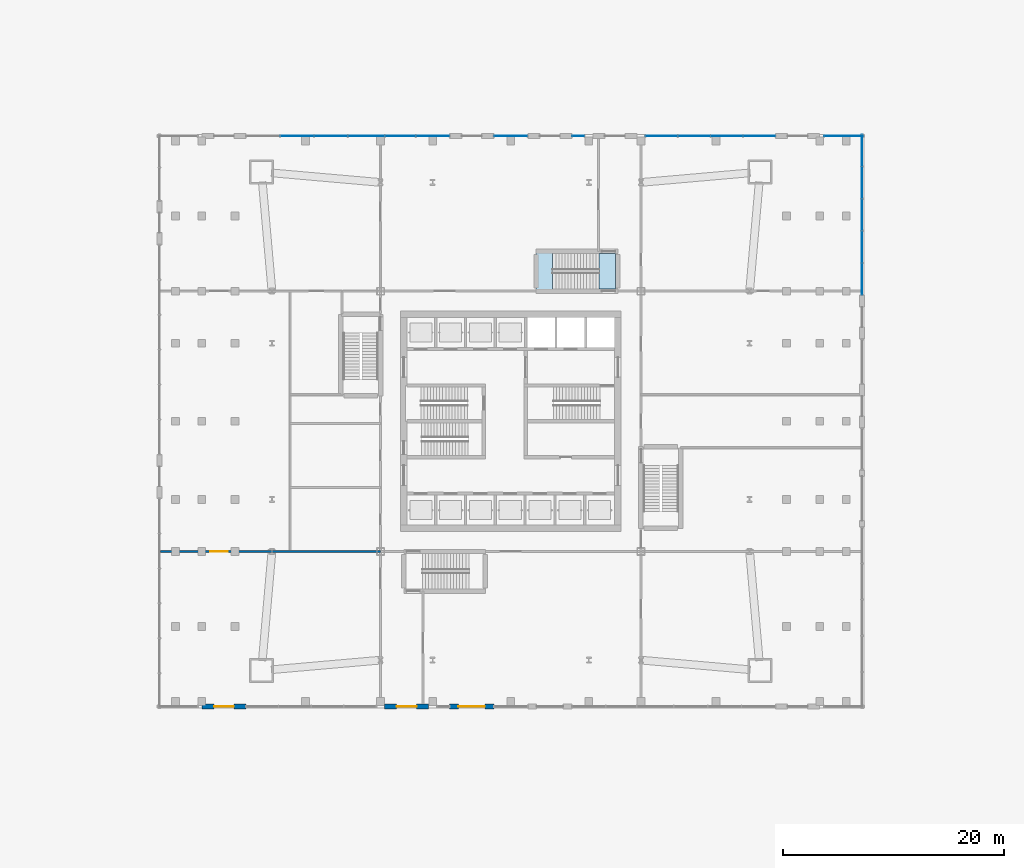
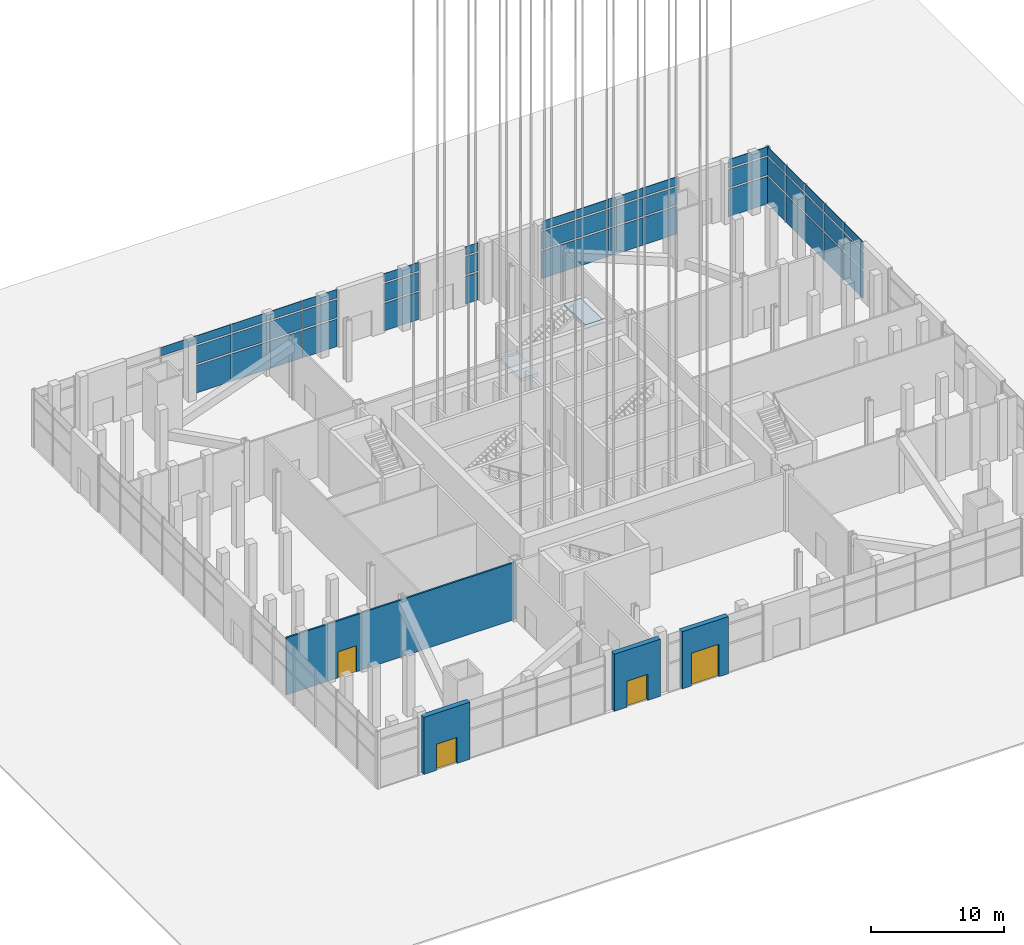
# One storey, part 11 of 27: 49 plates, 4 doors, 4 walls, 2 slabs, 4 openings, 7 elements without a shape of their own.
"""IFC4 building model written with IfcOpenShell, lengths in metres."""

from ifc_helpers import new_model, si_unit, direction, frame, frame_2d, origin, origin_2d, place, context, subcontext, project, spatial, polyline, rectangle, outline, extrude, material, layer, layer_set, type_object, element, fill, aggregate, save


model = new_model("IFC4")

# Units and contexts
model_context = context("Model", 3, precision=1e-05, world=origin(), true_north=direction((0.0, 1.0)))
body_context = subcontext(model_context, "Body", "Model", "MODEL_VIEW")
ifc_project = project(units=[si_unit("LENGTHUNIT", "METRE"), si_unit("AREAUNIT", "SQUARE_METRE"), si_unit("VOLUMEUNIT", "CUBIC_METRE"), si_unit("PLANEANGLEUNIT", "RADIAN"), si_unit("MASSUNIT", "GRAM", prefix="KILO")], contexts=[model_context])

# Site, building, storey
site_placement = place(None, origin())
site = spatial("IfcSite", under=ifc_project, at=site_placement, CompositionType="ELEMENT")
building_placement = place(site_placement, origin())
building = spatial("IfcBuilding", under=site, at=building_placement, Name="Turquesa Mirador Hotel Tower", CompositionType="ELEMENT")
storey_placement = place(building_placement, origin())
storey = spatial("IfcBuildingStorey", under=building, at=storey_placement, Name="L00", CompositionType="ELEMENT", Elevation=0.0)

# Curtain wall, plates
ifc_material_1 = material(Name="Aluminium extrusion", Category="aluminium")
curtain_wall_type = type_object("IfcCurtainWallType", Name="CW-1 LOBBY CURTAIN WALL", PredefinedType="USERDEFINED", material=ifc_material_1)
curtain_wall_1_placement = place(storey_placement, origin())
curtain_wall_1 = element("IfcCurtainWall", 1, at=curtain_wall_1_placement, inside=storey, type_object=curtain_wall_type, Name="CW-1 LOBBY CURTAIN WALL L00", ObjectType="CURTAIN WALL", PredefinedType="USERDEFINED")
ifc_material_2 = material(Name="Ceramic-printed spandrel glass on an insulated back pan", Category="glass")
ifc_layer_1 = layer(ifc_material_2, 0.050048828125)
ifc_layer_set_1 = layer_set([ifc_layer_1], Name="CW PANEL SPANDREL CERAMIC")
plate_type_1 = type_object("IfcPlateType", Name="CW PANEL SPANDREL CERAMIC", PredefinedType="CURTAIN_PANEL", material=ifc_layer_set_1)
plate_1_placement = place(storey_placement, frame((86.85009765625, 57.89599609375, 0.0), z_axis=(0.0, 0.0, 1.0), x_axis=(0.0, 1.0, 0.0)))
plate_1 = element("IfcPlate", 2, at=plate_1_placement, type_object=plate_type_1, Name="Panel", PredefinedType="CURTAIN_PANEL", context=body_context, shape_type="SweptSolid", body=[
    extrude(rectangle(XDim=2.846923828125, YDim=0.050048828125, at=origin_2d()), origin(), (0.0, 0.0, 1.0), 2.52490234375),
])
plate_2_placement = place(storey_placement, frame((86.85009765625, 60.80810546875, 0.0), z_axis=(0.0, 0.0, 1.0), x_axis=(0.0, 1.0, 0.0)))
plate_2 = element("IfcPlate", 3, at=plate_2_placement, type_object=plate_type_1, Name="Panel", PredefinedType="CURTAIN_PANEL", context=body_context, shape_type="SweptSolid", body=[
    extrude(rectangle(XDim=2.846923828125, YDim=0.050048828125, at=origin_2d()), origin(), (0.0, 0.0, 1.0), 2.52490234375),
])
plate_3_placement = place(storey_placement, frame((86.85009765625, 63.719970703125, 0.0), z_axis=(0.0, 0.0, 1.0), x_axis=(0.0, 1.0, 0.0)))
plate_3 = element("IfcPlate", 4, at=plate_3_placement, type_object=plate_type_1, Name="Panel", PredefinedType="CURTAIN_PANEL", context=body_context, shape_type="SweptSolid", body=[
    extrude(rectangle(XDim=2.846923828125, YDim=0.050048828125, at=origin_2d()), origin(), (0.0, 0.0, 1.0), 2.52490234375),
])
plate_4_placement = place(storey_placement, frame((86.85009765625, 66.632080078125, 0.0), z_axis=(0.0, 0.0, 1.0), x_axis=(0.0, 1.0, 0.0)))
plate_4 = element("IfcPlate", 5, at=plate_4_placement, type_object=plate_type_1, Name="Panel", PredefinedType="CURTAIN_PANEL", context=body_context, shape_type="SweptSolid", body=[
    extrude(rectangle(XDim=2.846923828125, YDim=0.050048828125, at=origin_2d()), origin(), (0.0, 0.0, 1.0), 2.52490234375),
])
plate_5_placement = place(storey_placement, frame((86.85009765625, 69.5439453125, 0.0), z_axis=(0.0, 0.0, 1.0), x_axis=(0.0, 1.0, 0.0)))
plate_5 = element("IfcPlate", 6, at=plate_5_placement, type_object=plate_type_1, Name="Panel", PredefinedType="CURTAIN_PANEL", context=body_context, shape_type="SweptSolid", body=[
    extrude(rectangle(XDim=2.846923828125, YDim=0.050048828125, at=origin_2d()), origin(), (0.0, 0.0, 1.0), 2.52490234375),
])

# Curtain wall, plate
curtain_wall_2_placement = place(storey_placement, origin())
curtain_wall_2 = element("IfcCurtainWall", 7, at=curtain_wall_2_placement, inside=storey, type_object=curtain_wall_type, Name="CW-1 LOBBY CURTAIN WALL L00", ObjectType="CURTAIN WALL", PredefinedType="USERDEFINED")
plate_6_placement = place(storey_placement, frame((85.192138671875, 70.85009765625, 0.0), z_axis=(0.0, 0.0, 1.0), x_axis=(-1.0, 0.0, 0.0)))
plate_6 = element("IfcPlate", 8, at=plate_6_placement, type_object=plate_type_1, Name="Panel", PredefinedType="CURTAIN_PANEL", context=body_context, shape_type="SweptSolid", body=[
    extrude(rectangle(XDim=3.550537109375, YDim=0.050048828125, at=origin_2d()), origin(), (0.0, 0.0, 1.0), 2.52490234375),
])

# Curtain wall, plates
curtain_wall_3_placement = place(storey_placement, origin())
curtain_wall_3 = element("IfcCurtainWall", 9, at=curtain_wall_3_placement, inside=storey, type_object=curtain_wall_type, Name="CW-1 LOBBY CURTAIN WALL L00", ObjectType="CURTAIN WALL", PredefinedType="USERDEFINED")
plate_7_placement = place(storey_placement, frame((77.52294921875, 70.85009765625, 0.0), z_axis=(0.0, 0.0, 1.0), x_axis=(-1.0, 0.0, 0.0)))
plate_7 = element("IfcPlate", 10, at=plate_7_placement, type_object=plate_type_1, Name="Panel", PredefinedType="CURTAIN_PANEL", context=body_context, shape_type="SweptSolid", body=[
    extrude(rectangle(XDim=2.888916015625, YDim=0.050048828125, at=origin_2d()), origin(), (0.0, 0.0, 1.0), 2.52490234375),
])
plate_8_placement = place(storey_placement, frame((74.569091796875, 70.85009765625, 0.0), z_axis=(0.0, 0.0, 1.0), x_axis=(-1.0, 0.0, 0.0)))
plate_8 = element("IfcPlate", 11, at=plate_8_placement, type_object=plate_type_1, Name="Panel", PredefinedType="CURTAIN_PANEL", context=body_context, shape_type="SweptSolid", body=[
    extrude(rectangle(XDim=2.888916015625, YDim=0.050048828125, at=origin_2d()), origin(), (0.0, 0.0, 1.0), 2.52490234375),
])
plate_9_placement = place(storey_placement, frame((71.615234375, 70.85009765625, 0.0), z_axis=(0.0, 0.0, 1.0), x_axis=(-1.0, 0.0, 0.0)))
plate_9 = element("IfcPlate", 12, at=plate_9_placement, type_object=plate_type_1, Name="Panel", PredefinedType="CURTAIN_PANEL", context=body_context, shape_type="SweptSolid", body=[
    extrude(rectangle(XDim=2.888916015625, YDim=0.050048828125, at=origin_2d()), origin(), (0.0, 0.0, 1.0), 2.52490234375),
])
plate_10_placement = place(storey_placement, frame((68.661376953125, 70.85009765625, 0.0), z_axis=(0.0, 0.0, 1.0), x_axis=(-1.0, 0.0, 0.0)))
plate_10 = element("IfcPlate", 13, at=plate_10_placement, type_object=plate_type_1, Name="Panel", PredefinedType="CURTAIN_PANEL", context=body_context, shape_type="SweptSolid", body=[
    extrude(rectangle(XDim=2.888916015625, YDim=0.050048828125, at=origin_2d()), origin(), (0.0, 0.0, 1.0), 2.52490234375),
])

# Curtain wall, plate
curtain_wall_4_placement = place(storey_placement, origin())
curtain_wall_4 = element("IfcCurtainWall", 14, at=curtain_wall_4_placement, inside=storey, type_object=curtain_wall_type, Name="CW-1 LOBBY CURTAIN WALL L00", ObjectType="CURTAIN WALL", PredefinedType="USERDEFINED")
plate_11_placement = place(storey_placement, frame((61.11767578125, 70.85009765625, 0.0), z_axis=(0.0, 0.0, 1.0), x_axis=(-1.0, 0.0, 0.0)))
plate_11 = element("IfcPlate", 15, at=plate_11_placement, type_object=plate_type_1, Name="Panel", PredefinedType="CURTAIN_PANEL", context=body_context, shape_type="SweptSolid", body=[
    extrude(rectangle(XDim=1.090576171875, YDim=0.050048828125, at=origin_2d()), origin(), (0.0, 0.0, 1.0), 2.52490234375),
])

curtain_wall_5_placement = place(storey_placement, origin())
curtain_wall_5 = element("IfcCurtainWall", 16, at=curtain_wall_5_placement, inside=storey, type_object=curtain_wall_type, Name="CW-1 LOBBY CURTAIN WALL L00", ObjectType="CURTAIN WALL", PredefinedType="USERDEFINED")
plate_12_placement = place(storey_placement, frame((55.0, 70.85009765625, 0.0), z_axis=(0.0, 0.0, 1.0), x_axis=(-1.0, 0.0, 0.0)))
plate_12 = element("IfcPlate", 17, at=plate_12_placement, type_object=plate_type_1, Name="Panel", PredefinedType="CURTAIN_PANEL", context=body_context, shape_type="SweptSolid", body=[
    extrude(rectangle(XDim=3.014892578125, YDim=0.050048828125, at=origin_2d()), origin(), (0.0, 0.0, 1.0), 2.52490234375),
])

# Curtain wall, plates
curtain_wall_6_placement = place(storey_placement, origin())
curtain_wall_6 = element("IfcCurtainWall", 18, at=curtain_wall_6_placement, inside=storey, type_object=curtain_wall_type, Name="CW-1 LOBBY CURTAIN WALL L00", ObjectType="CURTAIN WALL", PredefinedType="USERDEFINED")
plate_13_placement = place(storey_placement, frame((47.921630859375, 70.85009765625, 0.0), z_axis=(0.0, 0.0, 1.0), x_axis=(-1.0, 0.0, 0.0)))
plate_13 = element("IfcPlate", 19, at=plate_13_placement, type_object=plate_type_1, Name="Panel", PredefinedType="CURTAIN_PANEL", context=body_context, shape_type="SweptSolid", body=[
    extrude(rectangle(XDim=3.01171875, YDim=0.050048828125, at=origin_2d()), origin(), (0.0, 0.0, 1.0), 2.52490234375),
])
plate_14_placement = place(storey_placement, frame((44.98388671875, 70.85009765625, 0.0), z_axis=(0.0, 0.0, 1.0), x_axis=(-1.0, 0.0, 0.0)))
plate_14 = element("IfcPlate", 20, at=plate_14_placement, type_object=plate_type_1, Name="Panel", PredefinedType="CURTAIN_PANEL", context=body_context, shape_type="SweptSolid", body=[
    extrude(rectangle(XDim=2.73388671875, YDim=0.050048828125, at=origin_2d()), origin(), (0.0, 0.0, 1.0), 2.52490234375),
])
plate_15_placement = place(storey_placement, frame((41.9072265625, 70.85009765625, 0.0), z_axis=(0.0, 0.0, 1.0), x_axis=(-1.0, 0.0, 0.0)))
plate_15 = element("IfcPlate", 21, at=plate_15_placement, type_object=plate_type_1, Name="Panel", PredefinedType="CURTAIN_PANEL", context=body_context, shape_type="SweptSolid", body=[
    extrude(rectangle(XDim=3.28955078125, YDim=0.050048828125, at=origin_2d()), origin(), (0.0, 0.0, 1.0), 2.52490234375),
])
plate_16_placement = place(storey_placement, frame((38.691650390625, 70.85009765625, 0.0), z_axis=(0.0, 0.0, 1.0), x_axis=(-1.0, 0.0, 0.0)))
plate_16 = element("IfcPlate", 22, at=plate_16_placement, type_object=plate_type_1, Name="Panel", PredefinedType="CURTAIN_PANEL", context=body_context, shape_type="SweptSolid", body=[
    extrude(rectangle(XDim=3.01171875, YDim=0.050048828125, at=origin_2d()), origin(), (0.0, 0.0, 1.0), 2.52490234375),
])

# Plate
ifc_material_3 = material(Name="Ceramic-fritted laminated glass", Category="glass")
ifc_layer_2 = layer(ifc_material_3, 0.031982421875)
ifc_layer_set_2 = layer_set([ifc_layer_2], Name="CW PANEL VISION FRITTED")
plate_type_2 = type_object("IfcPlateType", Name="CW PANEL VISION FRITTED", PredefinedType="CURTAIN_PANEL", material=ifc_layer_set_2)
plate_17_placement = place(storey_placement, frame((86.85009765625, 57.89599609375, 2.675048828125), z_axis=(0.0, 0.0, 1.0), x_axis=(0.0, 1.0, 0.0)))
plate_17 = element("IfcPlate", 23, at=plate_17_placement, type_object=plate_type_2, Name="Panel", PredefinedType="CURTAIN_PANEL", context=body_context, shape_type="SweptSolid", body=[
    extrude(rectangle(XDim=2.846923828125, YDim=0.031982421875, at=origin_2d()), origin(), (0.0, 0.0, 1.0), 1.64990234375),
])

plate_18_placement = place(storey_placement, frame((86.85009765625, 57.89599609375, 4.47509765625), z_axis=(0.0, 0.0, 1.0), x_axis=(0.0, 1.0, 0.0)))
plate_18 = element("IfcPlate", 24, at=plate_18_placement, type_object=plate_type_2, Name="Panel", PredefinedType="CURTAIN_PANEL", context=body_context, shape_type="SweptSolid", body=[
    extrude(rectangle(XDim=2.846923828125, YDim=0.031982421875, at=origin_2d()), origin(), (0.0, 0.0, 1.0), 0.77490234375),
])

plate_19_placement = place(storey_placement, frame((86.85009765625, 60.80810546875, 2.675048828125), z_axis=(0.0, 0.0, 1.0), x_axis=(0.0, 1.0, 0.0)))
plate_19 = element("IfcPlate", 25, at=plate_19_placement, type_object=plate_type_2, Name="Panel", PredefinedType="CURTAIN_PANEL", context=body_context, shape_type="SweptSolid", body=[
    extrude(rectangle(XDim=2.846923828125, YDim=0.031982421875, at=origin_2d()), origin(), (0.0, 0.0, 1.0), 1.64990234375),
])

plate_20_placement = place(storey_placement, frame((86.85009765625, 60.80810546875, 4.47509765625), z_axis=(0.0, 0.0, 1.0), x_axis=(0.0, 1.0, 0.0)))
plate_20 = element("IfcPlate", 26, at=plate_20_placement, type_object=plate_type_2, Name="Panel", PredefinedType="CURTAIN_PANEL", context=body_context, shape_type="SweptSolid", body=[
    extrude(rectangle(XDim=2.846923828125, YDim=0.031982421875, at=origin_2d()), origin(), (0.0, 0.0, 1.0), 0.77490234375),
])

plate_21_placement = place(storey_placement, frame((86.85009765625, 63.719970703125, 2.675048828125), z_axis=(0.0, 0.0, 1.0), x_axis=(0.0, 1.0, 0.0)))
plate_21 = element("IfcPlate", 27, at=plate_21_placement, type_object=plate_type_2, Name="Panel", PredefinedType="CURTAIN_PANEL", context=body_context, shape_type="SweptSolid", body=[
    extrude(rectangle(XDim=2.846923828125, YDim=0.031982421875, at=origin_2d()), origin(), (0.0, 0.0, 1.0), 1.64990234375),
])

plate_22_placement = place(storey_placement, frame((86.85009765625, 63.719970703125, 4.47509765625), z_axis=(0.0, 0.0, 1.0), x_axis=(0.0, 1.0, 0.0)))
plate_22 = element("IfcPlate", 28, at=plate_22_placement, type_object=plate_type_2, Name="Panel", PredefinedType="CURTAIN_PANEL", context=body_context, shape_type="SweptSolid", body=[
    extrude(rectangle(XDim=2.846923828125, YDim=0.031982421875, at=origin_2d()), origin(), (0.0, 0.0, 1.0), 0.77490234375),
])

plate_23_placement = place(storey_placement, frame((86.85009765625, 66.632080078125, 2.675048828125), z_axis=(0.0, 0.0, 1.0), x_axis=(0.0, 1.0, 0.0)))
plate_23 = element("IfcPlate", 29, at=plate_23_placement, type_object=plate_type_2, Name="Panel", PredefinedType="CURTAIN_PANEL", context=body_context, shape_type="SweptSolid", body=[
    extrude(rectangle(XDim=2.846923828125, YDim=0.031982421875, at=origin_2d()), origin(), (0.0, 0.0, 1.0), 1.64990234375),
])

plate_24_placement = place(storey_placement, frame((86.85009765625, 66.632080078125, 4.47509765625), z_axis=(0.0, 0.0, 1.0), x_axis=(0.0, 1.0, 0.0)))
plate_24 = element("IfcPlate", 30, at=plate_24_placement, type_object=plate_type_2, Name="Panel", PredefinedType="CURTAIN_PANEL", context=body_context, shape_type="SweptSolid", body=[
    extrude(rectangle(XDim=2.846923828125, YDim=0.031982421875, at=origin_2d()), origin(), (0.0, 0.0, 1.0), 0.77490234375),
])

plate_25_placement = place(storey_placement, frame((86.85009765625, 69.5439453125, 2.675048828125), z_axis=(0.0, 0.0, 1.0), x_axis=(0.0, 1.0, 0.0)))
plate_25 = element("IfcPlate", 31, at=plate_25_placement, type_object=plate_type_2, Name="Panel", PredefinedType="CURTAIN_PANEL", context=body_context, shape_type="SweptSolid", body=[
    extrude(rectangle(XDim=2.846923828125, YDim=0.031982421875, at=origin_2d()), origin(), (0.0, 0.0, 1.0), 1.64990234375),
])

plate_26_placement = place(storey_placement, frame((86.85009765625, 69.5439453125, 4.47509765625), z_axis=(0.0, 0.0, 1.0), x_axis=(0.0, 1.0, 0.0)))
plate_26 = element("IfcPlate", 32, at=plate_26_placement, type_object=plate_type_2, Name="Panel", PredefinedType="CURTAIN_PANEL", context=body_context, shape_type="SweptSolid", body=[
    extrude(rectangle(XDim=2.846923828125, YDim=0.031982421875, at=origin_2d()), origin(), (0.0, 0.0, 1.0), 0.77490234375),
])

aggregate(curtain_wall_1, [plate_1, plate_17, plate_18, plate_2, plate_19, plate_20, plate_3, plate_21, plate_22, plate_4, plate_23, plate_24, plate_5, plate_25, plate_26])

plate_27_placement = place(storey_placement, frame((85.192138671875, 70.85009765625, 2.675048828125), z_axis=(0.0, 0.0, 1.0), x_axis=(-1.0, 0.0, 0.0)))
plate_27 = element("IfcPlate", 33, at=plate_27_placement, type_object=plate_type_2, Name="Panel", PredefinedType="CURTAIN_PANEL", context=body_context, shape_type="SweptSolid", body=[
    extrude(rectangle(XDim=3.550537109375, YDim=0.031982421875, at=origin_2d()), origin(), (0.0, 0.0, 1.0), 1.64990234375),
])

plate_28_placement = place(storey_placement, frame((85.192138671875, 70.85009765625, 4.47509765625), z_axis=(0.0, 0.0, 1.0), x_axis=(-1.0, 0.0, 0.0)))
plate_28 = element("IfcPlate", 34, at=plate_28_placement, type_object=plate_type_2, Name="Panel", PredefinedType="CURTAIN_PANEL", context=body_context, shape_type="SweptSolid", body=[
    extrude(rectangle(XDim=3.550537109375, YDim=0.031982421875, at=origin_2d()), origin(), (0.0, 0.0, 1.0), 0.77490234375),
])

aggregate(curtain_wall_2, [plate_6, plate_27, plate_28])

plate_29_placement = place(storey_placement, frame((77.52294921875, 70.85009765625, 2.675048828125), z_axis=(0.0, 0.0, 1.0), x_axis=(-1.0, 0.0, 0.0)))
plate_29 = element("IfcPlate", 35, at=plate_29_placement, type_object=plate_type_2, Name="Panel", PredefinedType="CURTAIN_PANEL", context=body_context, shape_type="SweptSolid", body=[
    extrude(rectangle(XDim=2.888916015625, YDim=0.031982421875, at=origin_2d()), origin(), (0.0, 0.0, 1.0), 1.64990234375),
])

plate_30_placement = place(storey_placement, frame((77.52294921875, 70.85009765625, 4.47509765625), z_axis=(0.0, 0.0, 1.0), x_axis=(-1.0, 0.0, 0.0)))
plate_30 = element("IfcPlate", 36, at=plate_30_placement, type_object=plate_type_2, Name="Panel", PredefinedType="CURTAIN_PANEL", context=body_context, shape_type="SweptSolid", body=[
    extrude(rectangle(XDim=2.888916015625, YDim=0.031982421875, at=origin_2d()), origin(), (0.0, 0.0, 1.0), 0.77490234375),
])

plate_31_placement = place(storey_placement, frame((74.569091796875, 70.85009765625, 2.675048828125), z_axis=(0.0, 0.0, 1.0), x_axis=(-1.0, 0.0, 0.0)))
plate_31 = element("IfcPlate", 37, at=plate_31_placement, type_object=plate_type_2, Name="Panel", PredefinedType="CURTAIN_PANEL", context=body_context, shape_type="SweptSolid", body=[
    extrude(rectangle(XDim=2.888916015625, YDim=0.031982421875, at=origin_2d()), origin(), (0.0, 0.0, 1.0), 1.64990234375),
])

plate_32_placement = place(storey_placement, frame((74.569091796875, 70.85009765625, 4.47509765625), z_axis=(0.0, 0.0, 1.0), x_axis=(-1.0, 0.0, 0.0)))
plate_32 = element("IfcPlate", 38, at=plate_32_placement, type_object=plate_type_2, Name="Panel", PredefinedType="CURTAIN_PANEL", context=body_context, shape_type="SweptSolid", body=[
    extrude(rectangle(XDim=2.888916015625, YDim=0.031982421875, at=origin_2d()), origin(), (0.0, 0.0, 1.0), 0.77490234375),
])

plate_33_placement = place(storey_placement, frame((71.615234375, 70.85009765625, 2.675048828125), z_axis=(0.0, 0.0, 1.0), x_axis=(-1.0, 0.0, 0.0)))
plate_33 = element("IfcPlate", 39, at=plate_33_placement, type_object=plate_type_2, Name="Panel", PredefinedType="CURTAIN_PANEL", context=body_context, shape_type="SweptSolid", body=[
    extrude(rectangle(XDim=2.888916015625, YDim=0.031982421875, at=origin_2d()), origin(), (0.0, 0.0, 1.0), 1.64990234375),
])

plate_34_placement = place(storey_placement, frame((71.615234375, 70.85009765625, 4.47509765625), z_axis=(0.0, 0.0, 1.0), x_axis=(-1.0, 0.0, 0.0)))
plate_34 = element("IfcPlate", 40, at=plate_34_placement, type_object=plate_type_2, Name="Panel", PredefinedType="CURTAIN_PANEL", context=body_context, shape_type="SweptSolid", body=[
    extrude(rectangle(XDim=2.888916015625, YDim=0.031982421875, at=origin_2d()), origin(), (0.0, 0.0, 1.0), 0.77490234375),
])

plate_35_placement = place(storey_placement, frame((68.661376953125, 70.85009765625, 2.675048828125), z_axis=(0.0, 0.0, 1.0), x_axis=(-1.0, 0.0, 0.0)))
plate_35 = element("IfcPlate", 41, at=plate_35_placement, type_object=plate_type_2, Name="Panel", PredefinedType="CURTAIN_PANEL", context=body_context, shape_type="SweptSolid", body=[
    extrude(rectangle(XDim=2.888916015625, YDim=0.031982421875, at=origin_2d()), origin(), (0.0, 0.0, 1.0), 1.64990234375),
])

plate_36_placement = place(storey_placement, frame((68.661376953125, 70.85009765625, 4.47509765625), z_axis=(0.0, 0.0, 1.0), x_axis=(-1.0, 0.0, 0.0)))
plate_36 = element("IfcPlate", 42, at=plate_36_placement, type_object=plate_type_2, Name="Panel", PredefinedType="CURTAIN_PANEL", context=body_context, shape_type="SweptSolid", body=[
    extrude(rectangle(XDim=2.888916015625, YDim=0.031982421875, at=origin_2d()), origin(), (0.0, 0.0, 1.0), 0.77490234375),
])

aggregate(curtain_wall_3, [plate_7, plate_29, plate_30, plate_8, plate_31, plate_32, plate_9, plate_33, plate_34, plate_10, plate_35, plate_36])

plate_37_placement = place(storey_placement, frame((61.11767578125, 70.85009765625, 2.675048828125), z_axis=(0.0, 0.0, 1.0), x_axis=(-1.0, 0.0, 0.0)))
plate_37 = element("IfcPlate", 43, at=plate_37_placement, type_object=plate_type_2, Name="Panel", PredefinedType="CURTAIN_PANEL", context=body_context, shape_type="SweptSolid", body=[
    extrude(rectangle(XDim=1.090576171875, YDim=0.031982421875, at=origin_2d()), origin(), (0.0, 0.0, 1.0), 1.64990234375),
])

plate_38_placement = place(storey_placement, frame((61.11767578125, 70.85009765625, 4.47509765625), z_axis=(0.0, 0.0, 1.0), x_axis=(-1.0, 0.0, 0.0)))
plate_38 = element("IfcPlate", 44, at=plate_38_placement, type_object=plate_type_2, Name="Panel", PredefinedType="CURTAIN_PANEL", context=body_context, shape_type="SweptSolid", body=[
    extrude(rectangle(XDim=1.090576171875, YDim=0.031982421875, at=origin_2d()), origin(), (0.0, 0.0, 1.0), 0.77490234375),
])

aggregate(curtain_wall_4, [plate_11, plate_37, plate_38])

plate_39_placement = place(storey_placement, frame((55.0, 70.85009765625, 2.675048828125), z_axis=(0.0, 0.0, 1.0), x_axis=(-1.0, 0.0, 0.0)))
plate_39 = element("IfcPlate", 45, at=plate_39_placement, type_object=plate_type_2, Name="Panel", PredefinedType="CURTAIN_PANEL", context=body_context, shape_type="SweptSolid", body=[
    extrude(rectangle(XDim=3.014892578125, YDim=0.031982421875, at=origin_2d()), origin(), (0.0, 0.0, 1.0), 1.64990234375),
])

plate_40_placement = place(storey_placement, frame((55.0, 70.85009765625, 4.47509765625), z_axis=(0.0, 0.0, 1.0), x_axis=(-1.0, 0.0, 0.0)))
plate_40 = element("IfcPlate", 46, at=plate_40_placement, type_object=plate_type_2, Name="Panel", PredefinedType="CURTAIN_PANEL", context=body_context, shape_type="SweptSolid", body=[
    extrude(rectangle(XDim=3.014892578125, YDim=0.031982421875, at=origin_2d()), origin(), (0.0, 0.0, 1.0), 0.77490234375),
])

aggregate(curtain_wall_5, [plate_12, plate_39, plate_40])

plate_41_placement = place(storey_placement, frame((47.921630859375, 70.85009765625, 2.675048828125), z_axis=(0.0, 0.0, 1.0), x_axis=(-1.0, 0.0, 0.0)))
plate_41 = element("IfcPlate", 47, at=plate_41_placement, type_object=plate_type_2, Name="Panel", PredefinedType="CURTAIN_PANEL", context=body_context, shape_type="SweptSolid", body=[
    extrude(rectangle(XDim=3.01171875, YDim=0.031982421875, at=origin_2d()), origin(), (0.0, 0.0, 1.0), 1.64990234375),
])

plate_42_placement = place(storey_placement, frame((47.921630859375, 70.85009765625, 4.47509765625), z_axis=(0.0, 0.0, 1.0), x_axis=(-1.0, 0.0, 0.0)))
plate_42 = element("IfcPlate", 48, at=plate_42_placement, type_object=plate_type_2, Name="Panel", PredefinedType="CURTAIN_PANEL", context=body_context, shape_type="SweptSolid", body=[
    extrude(rectangle(XDim=3.01171875, YDim=0.031982421875, at=origin_2d()), origin(), (0.0, 0.0, 1.0), 0.77490234375),
])

plate_43_placement = place(storey_placement, frame((44.98388671875, 70.85009765625, 2.675048828125), z_axis=(0.0, 0.0, 1.0), x_axis=(-1.0, 0.0, 0.0)))
plate_43 = element("IfcPlate", 49, at=plate_43_placement, type_object=plate_type_2, Name="Panel", PredefinedType="CURTAIN_PANEL", context=body_context, shape_type="SweptSolid", body=[
    extrude(rectangle(XDim=2.73388671875, YDim=0.031982421875, at=origin_2d()), origin(), (0.0, 0.0, 1.0), 1.64990234375),
])

plate_44_placement = place(storey_placement, frame((44.98388671875, 70.85009765625, 4.47509765625), z_axis=(0.0, 0.0, 1.0), x_axis=(-1.0, 0.0, 0.0)))
plate_44 = element("IfcPlate", 50, at=plate_44_placement, type_object=plate_type_2, Name="Panel", PredefinedType="CURTAIN_PANEL", context=body_context, shape_type="SweptSolid", body=[
    extrude(rectangle(XDim=2.73388671875, YDim=0.031982421875, at=origin_2d()), origin(), (0.0, 0.0, 1.0), 0.77490234375),
])

plate_45_placement = place(storey_placement, frame((41.9072265625, 70.85009765625, 2.675048828125), z_axis=(0.0, 0.0, 1.0), x_axis=(-1.0, 0.0, 0.0)))
plate_45 = element("IfcPlate", 51, at=plate_45_placement, type_object=plate_type_2, Name="Panel", PredefinedType="CURTAIN_PANEL", context=body_context, shape_type="SweptSolid", body=[
    extrude(rectangle(XDim=3.28955078125, YDim=0.031982421875, at=origin_2d()), origin(), (0.0, 0.0, 1.0), 1.64990234375),
])

plate_46_placement = place(storey_placement, frame((41.9072265625, 70.85009765625, 4.47509765625), z_axis=(0.0, 0.0, 1.0), x_axis=(-1.0, 0.0, 0.0)))
plate_46 = element("IfcPlate", 52, at=plate_46_placement, type_object=plate_type_2, Name="Panel", PredefinedType="CURTAIN_PANEL", context=body_context, shape_type="SweptSolid", body=[
    extrude(rectangle(XDim=3.28955078125, YDim=0.031982421875, at=origin_2d()), origin(), (0.0, 0.0, 1.0), 0.77490234375),
])

plate_47_placement = place(storey_placement, frame((38.691650390625, 70.85009765625, 2.675048828125), z_axis=(0.0, 0.0, 1.0), x_axis=(-1.0, 0.0, 0.0)))
plate_47 = element("IfcPlate", 53, at=plate_47_placement, type_object=plate_type_2, Name="Panel", PredefinedType="CURTAIN_PANEL", context=body_context, shape_type="SweptSolid", body=[
    extrude(rectangle(XDim=3.01171875, YDim=0.031982421875, at=origin_2d()), origin(), (0.0, 0.0, 1.0), 1.64990234375),
])

plate_48_placement = place(storey_placement, frame((38.691650390625, 70.85009765625, 4.47509765625), z_axis=(0.0, 0.0, 1.0), x_axis=(-1.0, 0.0, 0.0)))
plate_48 = element("IfcPlate", 54, at=plate_48_placement, type_object=plate_type_2, Name="Panel", PredefinedType="CURTAIN_PANEL", context=body_context, shape_type="SweptSolid", body=[
    extrude(rectangle(XDim=3.01171875, YDim=0.031982421875, at=origin_2d()), origin(), (0.0, 0.0, 1.0), 0.77490234375),
])

plate_49_placement = place(storey_placement, frame((35.614990234375, 70.85009765625, 4.47509765625), z_axis=(0.0, 0.0, 1.0), x_axis=(-1.0, 0.0, 0.0)))
plate_49 = element("IfcPlate", 55, at=plate_49_placement, type_object=plate_type_2, Name="Panel", PredefinedType="CURTAIN_PANEL", context=body_context, shape_type="SweptSolid", body=[
    extrude(rectangle(XDim=3.01171875, YDim=0.031982421875, at=origin_2d()), origin(), (0.0, 0.0, 1.0), 0.77490234375),
])

aggregate(curtain_wall_6, [plate_13, plate_41, plate_42, plate_14, plate_43, plate_44, plate_15, plate_45, plate_46, plate_16, plate_47, plate_48, plate_49])

# Stair, slabs
ifc_material_4 = material(Name="Concrete C35/45", Category="concrete")
stair_type = type_object("IfcStairType", Name="ESCAPE STAIR PODIUM", PredefinedType="HALF_TURN_STAIR", material=ifc_material_4)
stair_placement = place(storey_placement, origin())
stair = element("IfcStair", 56, at=stair_placement, inside=storey, type_object=stair_type, Name="Stair PS1 L00 to L01", PredefinedType="HALF_TURN_STAIR")
ifc_material_5 = material(Name="Concrete C35/45", Category="concrete")
ifc_layer_3 = layer(ifc_material_5, 0.300048828125)
ifc_layer_set_3 = layer_set([ifc_layer_3], Name="STAIR LANDING 300")
slab_type = type_object("IfcSlabType", Name="STAIR LANDING 300", PredefinedType="LANDING", material=ifc_layer_set_3)
slab_1_placement = place(storey_placement, frame((0.0, 0.0, 2.5)))
slab_1 = element("IfcSlab", 57, at=slab_1_placement, type_object=slab_type, Name="PS1 landing 1", PredefinedType="LANDING", context=body_context, shape_type="SweptSolid", body=[
    extrude(outline(polyline([(57.300048828125, 56.800048828125), (58.800048828125, 56.800048828125), (58.800048828125, 60.39990234375), (57.300048828125, 60.39990234375), (57.300048828125, 56.800048828125)])), origin(), (0.0, 0.0, 1.0), 0.300048828125),
])
slab_2_placement = place(storey_placement, frame((0.0, 0.0, 5.300048828125)))
slab_2 = element("IfcSlab", 58, at=slab_2_placement, type_object=slab_type, Name="PS1 landing 2", PredefinedType="LANDING", context=body_context, shape_type="SweptSolid", body=[
    extrude(outline(polyline([(63.0, 57.0), (64.5, 57.0), (64.5, 60.199951171875), (63.0, 60.199951171875), (63.0, 57.0)])), origin(), (0.0, 0.0, 1.0), 0.300048828125),
])
aggregate(stair, [slab_1, slab_2])

# Wall, opening, door
ifc_material_6 = material(Name="Gypsum board on steel studs", Category="steel")
ifc_layer_4 = layer(ifc_material_6, 0.14990234375)
ifc_layer_set_4 = layer_set([ifc_layer_4], Name="PARTITION 150")
wall_type_1 = type_object("IfcWallType", Name="PARTITION 150", PredefinedType="PARTITIONING", material=ifc_layer_set_4)
wall_1_placement = place(storey_placement, frame((23.2548828125, 33.199951171875, 0.0), z_axis=(0.0, 0.0, 1.0), x_axis=(1.0, 0.0, 0.0)))
wall_1 = element("IfcWall", 59, at=wall_1_placement, inside=storey, type_object=wall_type_1, Name="Partition L00 004", PredefinedType="PARTITIONING", context=body_context, shape_type="SweptSolid", body=[
    extrude(rectangle(XDim=19.945068359375, YDim=0.14990234375, at=frame_2d((9.97265625, 0.0))), origin(), (0.0, 0.0, 1.0), 5.25),
])
opening_1_placement = place(wall_1_placement, frame((4.4951171875, 0.0, 0.0)))
opening_1 = element("IfcOpeningElement", 60, at=opening_1_placement, cuts=wall_1, Name="Opening D08", PredefinedType="OPENING", context=body_context, shape_type="SweptSolid", body=[
    extrude(rectangle(XDim=1.60009765625, YDim=2.39990234375, at=frame_2d((0.800048828125, 1.199951171875))), frame((0.0, 0.0849609375, 0.0), z_axis=(0.0, -1.0, 0.0), x_axis=(1.0, 0.0, 0.0)), (0.0, 0.0, 1.0), 0.169921875),
])
ifc_material_7 = material(Name="Aluminium glazed door pair", Category="aluminium")
door_type_1 = type_object("IfcDoorType", Name="DOOR 1600X2400 GLAZED PAIR", OperationType="DOUBLE_DOOR_SINGLE_SWING", PredefinedType="DOOR", material=ifc_material_7)
door_1_placement = place(opening_1_placement, origin())
door_1 = element("IfcDoor", 61, at=door_1_placement, inside=storey, type_object=door_type_1, Name="Door L00-08", OperationType="DOUBLE_DOOR_SINGLE_SWING", OverallHeight=2.39990234375, OverallWidth=1.60009765625, PredefinedType="DOOR", context=body_context, shape_type="SweptSolid", body=[
    extrude(rectangle(XDim=1.60009765625, YDim=2.39990234375, at=frame_2d((0.800048828125, 1.199951171875))), frame((0.0, 0.02490234375, 0.0), z_axis=(0.0, -1.0, 0.0), x_axis=(1.0, 0.0, 0.0)), (0.0, 0.0, 1.0), 0.050048828125),
])
fill(opening_1, door_1)

ifc_material_8 = material(Name="Limestone cladding on concrete block", Category="masonry")
ifc_layer_5 = layer(ifc_material_8, 0.449951171875)
ifc_layer_set_5 = layer_set([ifc_layer_5], Name="PORTAL WALL 450 STONE")
wall_type_2 = type_object("IfcWallType", Name="PORTAL WALL 450 STONE", PredefinedType="SOLIDWALL", material=ifc_layer_set_5)
wall_2_placement = place(storey_placement, frame((27.0, 19.14990234375, 0.0), z_axis=(0.0, 0.0, 1.0), x_axis=(1.0, 0.0, 0.0)))
wall_2 = element("IfcWall", 62, at=wall_2_placement, inside=storey, type_object=wall_type_2, Name="Entrance portal L00", PredefinedType="SOLIDWALL", context=body_context, shape_type="SweptSolid", body=[
    extrude(rectangle(XDim=4.0, YDim=0.449951171875, at=frame_2d((2.0, 0.0))), origin(), (0.0, 0.0, 1.0), 5.25),
])
opening_2_placement = place(wall_2_placement, frame((1.10009765625, 0.0, 0.0)))
opening_2 = element("IfcOpeningElement", 63, at=opening_2_placement, cuts=wall_2, Name="Opening D13", PredefinedType="OPENING", context=body_context, shape_type="SweptSolid", body=[
    extrude(rectangle(XDim=1.800048828125, YDim=2.39990234375, at=frame_2d((0.89990234375, 1.199951171875))), frame((0.0, 0.23486328125, 0.0), z_axis=(0.0, -1.0, 0.0), x_axis=(1.0, 0.0, 0.0)), (0.0, 0.0, 1.0), 0.469970703125),
])
ifc_material_9 = material(Name="Steel external door pair", Category="steel")
door_type_2 = type_object("IfcDoorType", Name="EXIT DOOR 1800X2400 PAIR", OperationType="DOUBLE_DOOR_SINGLE_SWING", PredefinedType="DOOR", material=ifc_material_9)
door_2_placement = place(opening_2_placement, origin())
door_2 = element("IfcDoor", 64, at=door_2_placement, inside=storey, type_object=door_type_2, Name="External door L00 S", OperationType="DOUBLE_DOOR_SINGLE_SWING", OverallHeight=2.39990234375, OverallWidth=1.800048828125, PredefinedType="DOOR", context=body_context, shape_type="SweptSolid", body=[
    extrude(rectangle(XDim=1.800048828125, YDim=2.39990234375, at=frame_2d((0.89990234375, 1.199951171875))), frame((0.0, 0.02490234375, 0.0), z_axis=(0.0, -1.0, 0.0), x_axis=(1.0, 0.0, 0.0)), (0.0, 0.0, 1.0), 0.050048828125),
])
fill(opening_2, door_2)

wall_3_placement = place(storey_placement, frame((47.56005859375, 19.14990234375, 0.0), z_axis=(0.0, 0.0, 1.0), x_axis=(-1.0, 0.0, 0.0)))
wall_3 = element("IfcWall", 65, at=wall_3_placement, inside=storey, type_object=wall_type_2, Name="Entrance portal L00", PredefinedType="SOLIDWALL", context=body_context, shape_type="SweptSolid", body=[
    extrude(rectangle(XDim=4.0, YDim=0.449951171875, at=frame_2d((2.0, 0.0))), origin(), (0.0, 0.0, 1.0), 5.25),
])
opening_3_placement = place(wall_3_placement, frame((1.10009765625, 0.0, 0.0)))
opening_3 = element("IfcOpeningElement", 66, at=opening_3_placement, cuts=wall_3, Name="Opening D13", PredefinedType="OPENING", context=body_context, shape_type="SweptSolid", body=[
    extrude(rectangle(XDim=1.800048828125, YDim=2.39990234375, at=frame_2d((0.89990234375, 1.199951171875))), frame((0.0, 0.23486328125, 0.0), z_axis=(0.0, -1.0, 0.0), x_axis=(1.0, 0.0, 0.0)), (0.0, 0.0, 1.0), 0.469970703125),
])
door_3_placement = place(opening_3_placement, origin())
door_3 = element("IfcDoor", 67, at=door_3_placement, inside=storey, type_object=door_type_2, Name="External door L00 S", OperationType="DOUBLE_DOOR_SINGLE_SWING", OverallHeight=2.39990234375, OverallWidth=1.800048828125, PredefinedType="DOOR", context=body_context, shape_type="SweptSolid", body=[
    extrude(rectangle(XDim=1.800048828125, YDim=2.39990234375, at=frame_2d((0.89990234375, 1.199951171875))), frame((0.0, 0.02490234375, 0.0), z_axis=(0.0, -1.0, 0.0), x_axis=(1.0, 0.0, 0.0)), (0.0, 0.0, 1.0), 0.050048828125),
])
fill(opening_3, door_3)

wall_4_placement = place(storey_placement, frame((49.4599609375, 19.14990234375, 0.0), z_axis=(0.0, 0.0, 1.0), x_axis=(1.0, 0.0, 0.0)))
wall_4 = element("IfcWall", 68, at=wall_4_placement, inside=storey, type_object=wall_type_2, Name="Entrance portal L00", PredefinedType="SOLIDWALL", context=body_context, shape_type="SweptSolid", body=[
    extrude(rectangle(XDim=4.0, YDim=0.449951171875, at=frame_2d((2.0, 0.0))), origin(), (0.0, 0.0, 1.0), 5.25),
])
opening_4_placement = place(wall_4_placement, frame((0.800048828125, 0.0, 0.0)))
opening_4 = element("IfcOpeningElement", 69, at=opening_4_placement, cuts=wall_4, Name="Opening D11", PredefinedType="OPENING", context=body_context, shape_type="SweptSolid", body=[
    extrude(rectangle(XDim=2.39990234375, YDim=3.0, at=frame_2d((1.199951171875, 1.5))), frame((0.0, 0.23486328125, 0.0), z_axis=(0.0, -1.0, 0.0), x_axis=(1.0, 0.0, 0.0)), (0.0, 0.0, 1.0), 0.469970703125),
])
ifc_material_10 = material(Name="Bronze framed glazed door", Category="metal")
door_type_3 = type_object("IfcDoorType", Name="ENTRANCE DOOR 2400X3000 PORTAL", OperationType="DOUBLE_DOOR_SINGLE_SWING", PredefinedType="DOOR", material=ifc_material_10)
door_4_placement = place(opening_4_placement, origin())
door_4 = element("IfcDoor", 70, at=door_4_placement, inside=storey, type_object=door_type_3, Name="External door L00 S", OperationType="DOUBLE_DOOR_SINGLE_SWING", OverallHeight=3.0, OverallWidth=2.39990234375, PredefinedType="DOOR", context=body_context, shape_type="SweptSolid", body=[
    extrude(rectangle(XDim=2.39990234375, YDim=3.0, at=frame_2d((1.199951171875, 1.5))), frame((0.0, 0.02490234375, 0.0), z_axis=(0.0, -1.0, 0.0), x_axis=(1.0, 0.0, 0.0)), (0.0, 0.0, 1.0), 0.050048828125),
])
fill(opening_4, door_4)

save(model, "model.ifc")
